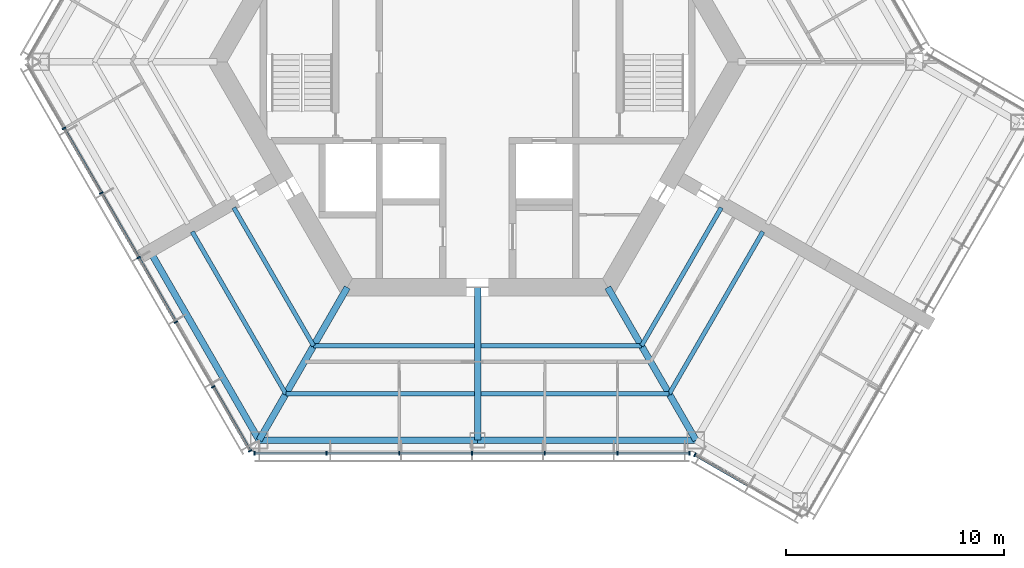
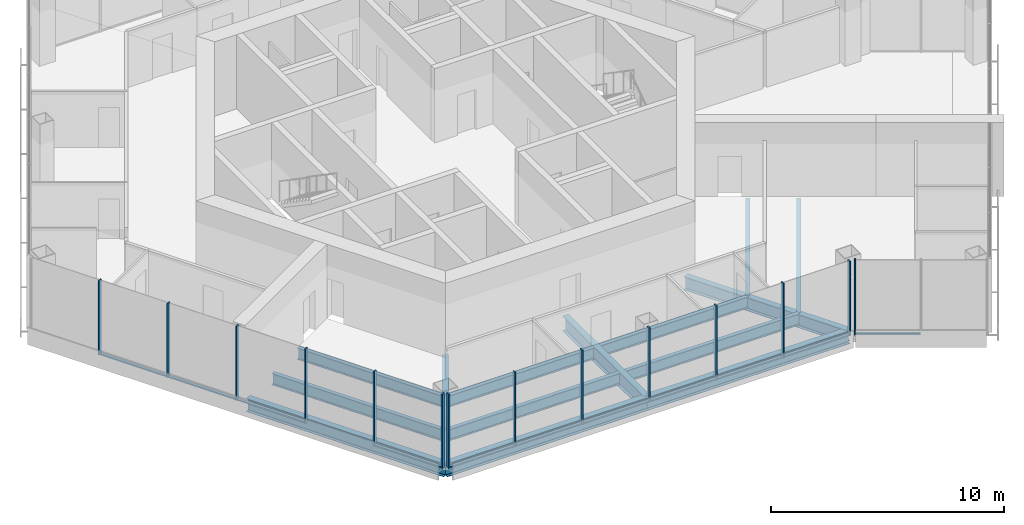
# One storey, part 2 of 13: 25 members, 14 beams, 3 elements without a shape of their own.
"""IFC4 building model written with IfcOpenShell, lengths in metres."""

import ifcopenshell
import ifcopenshell.guid

model = None  # the IFC model being written
_history = None  # IfcOwnerHistory: only IFC2X3 demands one
_inside = {}  # id of a spatial element -> (the spatial element, [elements in it])
_under = {}  # id of a project, library or spatial element -> (it, [spatial elements below it])
_declared = {}  # id of a project -> (the project, [libraries it declares])
_typed = {}  # id of a type object -> (the type object, [elements of that type])
_made_of = {}  # id of a material, layer set ... -> (it, [elements and type objects made of it])


def new_model(schema):
    """Start an empty IFC model of exactly this schema.

    Asked for "IFC4X3", IfcOpenShell would pick the latest addendum, in which some entities
    have other attributes; the version numbers below select the first issue.
    IFC2X3 requires an IfcOwnerHistory on every rooted entity: one is made here for all.
    """
    global model, _history
    if schema == "IFC4X3":
        model = ifcopenshell.file(schema_version=(4, 3, 0, 0))
    else:
        model = ifcopenshell.file(schema=schema)
    _inside.clear()
    _under.clear()
    _declared.clear()
    _typed.clear()
    _made_of.clear()
    _history = None
    if model.schema == "IFC2X3":
        org = make("IfcOrganization", Name="unknown")
        user = make(
            "IfcPersonAndOrganization",
            ThePerson=make("IfcPerson", FamilyName="unknown"),
            TheOrganization=org,
        )
        app = make(
            "IfcApplication",
            ApplicationDeveloper=org,
            Version="unknown",
            ApplicationFullName="unknown",
            ApplicationIdentifier="unknown",
        )
        _history = make(
            "IfcOwnerHistory",
            OwningUser=user,
            OwningApplication=app,
            ChangeAction="ADDED",
            CreationDate=0,
        )
    return model


def make(cls, **values):
    """One entity of the class cls with the attributes given. An attribute that is None is left unset."""
    return model.create_entity(
        cls, **{name: value for name, value in values.items() if value is not None}
    )


def rooted(cls, **values):
    """An entity with a GlobalId (a new one), such as an element, a storey or a relation."""
    return make(cls, GlobalId=ifcopenshell.guid.new(), OwnerHistory=_history, **values)


def si_unit(unit_type, name, prefix=None):
    """IfcSIUnit, for example si_unit("LENGTHUNIT", "METRE", prefix="MILLI")."""
    return make("IfcSIUnit", UnitType=unit_type, Prefix=prefix, Name=name)


def assignment(units):
    """IfcUnitAssignment: the units of a project."""
    return None if units is None else make("IfcUnitAssignment", Units=units)


def point(xyz):
    """IfcCartesianPoint."""
    return None if xyz is None else make("IfcCartesianPoint", Coordinates=xyz)


def direction(xyz):
    """IfcDirection."""
    return None if xyz is None else make("IfcDirection", DirectionRatios=xyz)


def frame(location, z_axis=None, x_axis=None):
    """IfcAxis2Placement3D, a coordinate frame: its origin and axes. An axis left out is left unset."""
    return make(
        "IfcAxis2Placement3D",
        Location=point(location),
        Axis=direction(z_axis),
        RefDirection=direction(x_axis),
    )


def frame_2d(location, x_axis=None):
    """IfcAxis2Placement2D, a coordinate frame in the plane: its origin and x axis."""
    return make(
        "IfcAxis2Placement2D", Location=point(location), RefDirection=direction(x_axis)
    )


def origin():
    """The frame at (0, 0, 0) with its axes left unset."""
    return frame((0.0, 0.0, 0.0))


def origin_2d():
    """The frame at (0, 0) in the plane with its x axis left unset."""
    return frame_2d((0.0, 0.0))


def place(relative_to, where):
    """IfcLocalPlacement: puts the frame where relative to a parent placement (None: the world)."""
    return make(
        "IfcLocalPlacement", PlacementRelTo=relative_to, RelativePlacement=where
    )


def context(
    kind, dimensions, precision=None, world=None, true_north=None, identifier=None
):
    """IfcGeometricRepresentationContext, for example the 3D "Model" context."""
    return make(
        "IfcGeometricRepresentationContext",
        ContextIdentifier=identifier,
        ContextType=kind,
        CoordinateSpaceDimension=dimensions,
        Precision=precision,
        WorldCoordinateSystem=world,
        TrueNorth=true_north,
    )


def subcontext(parent, identifier, kind, view, scale=None):
    """IfcGeometricRepresentationSubContext, for example "Body" below "Model"."""
    return make(
        "IfcGeometricRepresentationSubContext",
        ContextIdentifier=identifier,
        ContextType=kind,
        ParentContext=parent,
        TargetScale=scale,
        TargetView=view,
    )


def project(units=None, contexts=None):
    """IfcProject with its units and contexts."""
    return rooted(
        "IfcProject",
        Name="project",
        RepresentationContexts=contexts,
        UnitsInContext=assignment(units),
    )


def spatial(cls, under=None, at=None, **own):
    """A site, building, storey or space (cls), placed at a placement, below another one or the project."""
    s = rooted(cls, ObjectPlacement=at, **own)
    if under is not None:
        _under.setdefault(under.id(), (under, []))[1].append(s)
    return s


def profile(cls, at=None, kind="AREA", **sizes):
    """A parametric profile (cls). Its sizes go by their IFC names, for example OverallWidth=200.0."""
    return make(cls, ProfileType=kind, Position=at, **sizes)


def rectangle(**sizes):
    """IfcRectangleProfileDef."""
    return profile("IfcRectangleProfileDef", **sizes)


def i_section(**sizes):
    """IfcIShapeProfileDef."""
    return profile("IfcIShapeProfileDef", **sizes)


def extrude(swept, where, along, depth):
    """IfcExtrudedAreaSolid: the profile swept, set in the frame where, extruded along a direction by depth."""
    return make(
        "IfcExtrudedAreaSolid",
        SweptArea=swept,
        Position=where,
        ExtrudedDirection=direction(along),
        Depth=depth,
    )


def shape(context_of_items, identifier, shape_type, items):
    """IfcShapeRepresentation: the items that make up one representation, for example the "Body"."""
    return make(
        "IfcShapeRepresentation",
        ContextOfItems=context_of_items,
        RepresentationIdentifier=identifier,
        RepresentationType=shape_type,
        Items=items,
    )


def material(Name=None, Category=None):
    """IfcMaterial."""
    return make("IfcMaterial", Name=Name, Category=Category)


def material_profile(
    of_material, cross_section, Name=None, Category=None, Priority=None
):
    """IfcMaterialProfile: a cross section and its material."""
    return make(
        "IfcMaterialProfile",
        Name=Name,
        Material=of_material,
        Profile=cross_section,
        Priority=Priority,
        Category=Category,
    )


def profile_set(profiles, Name=None, composite=None):
    """IfcMaterialProfileSet."""
    return make(
        "IfcMaterialProfileSet",
        Name=Name,
        MaterialProfiles=profiles,
        CompositeProfile=composite,
    )


def made_of(thing, what):
    """Note that an element or type object is made of a material, layer set ...; save() writes the relation."""
    if what is not None:
        _made_of.setdefault(what.id(), (what, []))[1].append(thing)
    return thing


def type_object(cls, material=None, **own):
    """A type object (cls), such as IfcWallType, which elements share."""
    return made_of(rooted(cls, **own), material)


def element(
    cls,
    number,
    at=None,
    inside=None,
    cuts=None,
    type_object=None,
    material=None,
    context=None,
    identifier="Body",
    shape_type=None,
    held_by="IfcProductDefinitionShape",
    body=None,
    shapes=None,
    **own,
):
    """One element of the class cls, such as IfcWall. Its Tag is "e" and its number.

    at: its placement. inside: the storey or other place that contains it. cuts: it is an
    opening in that element (IfcRelVoidsElement). A single representation is given by context,
    identifier, shape_type and body (its items); several are given by shapes. held_by: the class
    of the entity that holds the representations. save() writes the other relations.
    """
    e = rooted(cls, Tag="e%d" % number, ObjectPlacement=at, **own)
    if body is not None:
        shapes = [shape(context, identifier, shape_type, body)]
    if shapes is not None:
        e.Representation = make(held_by, Representations=shapes)
    if inside is not None:
        _inside.setdefault(inside.id(), (inside, []))[1].append(e)
    if cuts is not None:
        rooted(
            "IfcRelVoidsElement", RelatingBuildingElement=cuts, RelatedOpeningElement=e
        )
    if type_object is not None:
        _typed.setdefault(type_object.id(), (type_object, []))[1].append(e)
    return made_of(e, material)


def aggregate(whole, parts):
    """IfcRelAggregates: a whole, such as a stair, and the parts it consists of."""
    return rooted("IfcRelAggregates", RelatingObject=whole, RelatedObjects=parts)


def save(model, path):
    """Write the relations noted so far, then the file.

    IfcRelAggregates (storeys below a building ...), IfcRelContainedInSpatialStructure (elements
    in a storey), IfcRelDefinesByType, IfcRelAssociatesMaterial and IfcRelDeclares: one each for
    every whole, place, type object, material and project.
    """
    for whole, parts in _under.values():
        aggregate(whole, parts)
    for where, things in _inside.values():
        rooted(
            "IfcRelContainedInSpatialStructure",
            RelatedElements=things,
            RelatingStructure=where,
        )
    for kind, things in _typed.values():
        rooted("IfcRelDefinesByType", RelatedObjects=things, RelatingType=kind)
    for what, things in _made_of.values():
        rooted("IfcRelAssociatesMaterial", RelatedObjects=things, RelatingMaterial=what)
    for by, libraries in _declared.values():
        rooted("IfcRelDeclares", RelatingContext=by, RelatedDefinitions=libraries)
    model.write(path)


model = new_model("IFC4")

# Units and contexts
model_context = context("Model", 3, precision=1e-05, world=origin(), true_north=direction((0.0, 1.0)))
body_context = subcontext(model_context, "Body", "Model", "MODEL_VIEW")
ifc_project = project(units=[si_unit("LENGTHUNIT", "METRE"), si_unit("AREAUNIT", "SQUARE_METRE"), si_unit("VOLUMEUNIT", "CUBIC_METRE"), si_unit("PLANEANGLEUNIT", "RADIAN"), si_unit("MASSUNIT", "GRAM", prefix="KILO")], contexts=[model_context])

# Site, building, storey
site_placement = place(None, origin())
site = spatial("IfcSite", under=ifc_project, at=site_placement, CompositionType="ELEMENT")
building_placement = place(site_placement, origin())
building = spatial("IfcBuilding", under=site, at=building_placement, Name="Kasaneha Research Tower", CompositionType="ELEMENT")
storey_placement = place(building_placement, frame((0.0, 0.0, 271.300048828125)))
storey = spatial("IfcBuildingStorey", under=building, at=storey_placement, Name="L68", CompositionType="ELEMENT", Elevation=271.300048828125)

# Beams
ifc_material_1 = material(Name="Steel SN490B", Category="steel")
ifc_material_profile_1 = material_profile(ifc_material_1, i_section(OverallWidth=0.199951171875, OverallDepth=0.60009765625, WebThickness=0.010986328125, FlangeThickness=0.01708984375, FilletRadius=0.012939453125, at=origin_2d()), Name="H-600x200x11x17")
ifc_profile_set_1 = profile_set([ifc_material_profile_1], Name="Steel SN490B")
beam_type_1 = type_object("IfcBeamType", Name="B1-3 secondary beam H-600x200x11x17", PredefinedType="JOIST", material=ifc_profile_set_1)
beam_1_placement = place(storey_placement, frame((-7.505615234375, -13.0, -0.449951171875), z_axis=(-0.499999192304, 0.866025870108, 0.0), x_axis=(-0.866025870108, -0.499999192304, 0.0)))
element("IfcBeam", 1, at=beam_1_placement, inside=storey, type_object=beam_type_1, Name="Secondary beam RS210R1 L68", PredefinedType="JOIST", context=body_context, shape_type="SweptSolid", body=[
    extrude(i_section(OverallWidth=0.199951171875, OverallDepth=0.60009765625, WebThickness=0.010986328125, FlangeThickness=0.01708984375, FilletRadius=0.012939453125, at=origin_2d()), origin(), (0.0, 0.0, 1.0), 7.3056640625),
])
beam_2_placement = place(storey_placement, frame((-8.775634765625, -15.199951171875, -0.449951171875), z_axis=(-0.500000102728, 0.866025344474, 0.0), x_axis=(-0.866025344474, -0.500000102728, 0.0)))
element("IfcBeam", 2, at=beam_2_placement, inside=storey, type_object=beam_type_1, Name="Secondary beam RS210R2 L68", PredefinedType="JOIST", context=body_context, shape_type="SweptSolid", body=[
    extrude(i_section(OverallWidth=0.199951171875, OverallDepth=0.60009765625, WebThickness=0.010986328125, FlangeThickness=0.01708984375, FilletRadius=0.012939453125, at=origin_2d()), origin(), (0.0, 0.0, 1.0), 8.57568359375),
])
beam_3_placement = place(storey_placement, frame((-7.505615234375, -13.0, -0.449951171875), z_axis=(1.0, 0.0, 0.0), x_axis=(0.0, 1.0, 0.0)))
element("IfcBeam", 3, at=beam_3_placement, inside=storey, type_object=beam_type_1, Name="Secondary beam RS270L1 L68", PredefinedType="JOIST", context=body_context, shape_type="SweptSolid", body=[
    extrude(i_section(OverallWidth=0.199951171875, OverallDepth=0.60009765625, WebThickness=0.010986328125, FlangeThickness=0.01708984375, FilletRadius=0.012939453125, at=origin_2d()), origin(), (0.0, 0.0, 1.0), 7.355712890625),
])
beam_4_placement = place(storey_placement, frame((-8.775634765625, -15.199951171875, -0.449951171875), z_axis=(1.0, 0.0, 0.0), x_axis=(0.0, 1.0, 0.0)))
element("IfcBeam", 4, at=beam_4_placement, inside=storey, type_object=beam_type_1, Name="Secondary beam RS270L2 L68", PredefinedType="JOIST", context=body_context, shape_type="SweptSolid", body=[
    extrude(i_section(OverallWidth=0.199951171875, OverallDepth=0.60009765625, WebThickness=0.010986328125, FlangeThickness=0.01708984375, FilletRadius=0.012939453125, at=origin_2d()), origin(), (0.0, 0.0, 1.0), 8.625732421875),
])
beam_5_placement = place(storey_placement, frame((7.505615234375, -13.0, -0.449951171875), z_axis=(-1.0, 0.0, 0.0), x_axis=(0.0, -1.0, 0.0)))
element("IfcBeam", 5, at=beam_5_placement, inside=storey, type_object=beam_type_1, Name="Secondary beam RS270R1 L68", PredefinedType="JOIST", context=body_context, shape_type="SweptSolid", body=[
    extrude(i_section(OverallWidth=0.199951171875, OverallDepth=0.60009765625, WebThickness=0.010986328125, FlangeThickness=0.01708984375, FilletRadius=0.012939453125, at=origin_2d()), origin(), (0.0, 0.0, 1.0), 7.355712890625),
])
beam_6_placement = place(storey_placement, frame((8.775634765625, -15.199951171875, -0.449951171875), z_axis=(-1.0, 0.0, 0.0), x_axis=(0.0, -1.0, 0.0)))
element("IfcBeam", 6, at=beam_6_placement, inside=storey, type_object=beam_type_1, Name="Secondary beam RS270R2 L68", PredefinedType="JOIST", context=body_context, shape_type="SweptSolid", body=[
    extrude(i_section(OverallWidth=0.199951171875, OverallDepth=0.60009765625, WebThickness=0.010986328125, FlangeThickness=0.01708984375, FilletRadius=0.012939453125, at=origin_2d()), origin(), (0.0, 0.0, 1.0), 8.625732421875),
])
beam_7_placement = place(storey_placement, frame((7.505615234375, -13.0, -0.449951171875), z_axis=(0.499999192304, 0.866025870108, 0.0), x_axis=(-0.866025870108, 0.499999192304, 0.0)))
element("IfcBeam", 7, at=beam_7_placement, inside=storey, type_object=beam_type_1, Name="Secondary beam RS330L1 L68", PredefinedType="JOIST", context=body_context, shape_type="SweptSolid", body=[
    extrude(i_section(OverallWidth=0.199951171875, OverallDepth=0.60009765625, WebThickness=0.010986328125, FlangeThickness=0.01708984375, FilletRadius=0.012939453125, at=origin_2d()), origin(), (0.0, 0.0, 1.0), 7.3056640625),
])
beam_8_placement = place(storey_placement, frame((8.775634765625, -15.199951171875, -0.449951171875), z_axis=(0.500000102728, 0.866025344474, 0.0), x_axis=(-0.866025344474, 0.500000102728, 0.0)))
element("IfcBeam", 8, at=beam_8_placement, inside=storey, type_object=beam_type_1, Name="Secondary beam RS330L2 L68", PredefinedType="JOIST", context=body_context, shape_type="SweptSolid", body=[
    extrude(i_section(OverallWidth=0.199951171875, OverallDepth=0.60009765625, WebThickness=0.010986328125, FlangeThickness=0.01708984375, FilletRadius=0.012939453125, at=origin_2d()), origin(), (0.0, 0.0, 1.0), 8.57568359375),
])

# Curtain wall, members
ifc_material_2 = material(Name="Glass and aluminium", Category="aluminium")
curtain_wall_type = type_object("IfcCurtainWallType", Name="Crown curtain wall", PredefinedType="USERDEFINED", material=ifc_material_2)
curtain_wall_1_placement = place(storey_placement, origin())
curtain_wall_1 = element("IfcCurtainWall", 9, at=curtain_wall_1_placement, inside=storey, type_object=curtain_wall_type, Name="CW-C L68 run 04a", ObjectType="UNITISED CURTAIN WALL", PredefinedType="USERDEFINED")
ifc_material_3 = material(Name="Aluminium 6063-T6", Category="aluminium")
ifc_material_profile_2 = material_profile(ifc_material_3, rectangle(XDim=0.06005859375, YDim=0.179931640625, at=origin_2d()), Name="CW-C mullion 60x180")
ifc_profile_set_2 = profile_set([ifc_material_profile_2], Name="Aluminium 6063-T6")
member_type_1 = type_object("IfcMemberType", Name="CW-C mullion", PredefinedType="MULLION", material=ifc_profile_set_2)
member_1_placement = place(storey_placement, frame((-18.93505859375, -3.04443359375, 0.0), z_axis=(0.0, 0.0, 1.0), x_axis=(0.499999995722, -0.866025406254, 0.0)))
member_1 = element("IfcMember", 10, at=member_1_placement, type_object=member_type_1, Name="CW-C mullion 2", PredefinedType="MULLION", context=body_context, shape_type="SweptSolid", body=[
    extrude(rectangle(XDim=0.06005859375, YDim=0.179931640625, at=origin_2d()), origin(), (0.0, 0.0, 1.0), 3.89990234375),
])
member_2_placement = place(storey_placement, frame((-17.227294921875, -6.00244140625, 0.0), z_axis=(0.0, 0.0, 1.0), x_axis=(0.499999995722, -0.866025406254, 0.0)))
member_2 = element("IfcMember", 11, at=member_2_placement, type_object=member_type_1, Name="CW-C mullion 3", PredefinedType="MULLION", context=body_context, shape_type="SweptSolid", body=[
    extrude(rectangle(XDim=0.06005859375, YDim=0.179931640625, at=origin_2d()), origin(), (0.0, 0.0, 1.0), 3.89990234375),
])
member_3_placement = place(storey_placement, frame((-15.51953125, -8.960205078125, 0.0), z_axis=(0.0, 0.0, 1.0), x_axis=(0.499999995722, -0.866025406254, 0.0)))
member_3 = element("IfcMember", 12, at=member_3_placement, type_object=member_type_1, Name="CW-C mullion 4", PredefinedType="MULLION", context=body_context, shape_type="SweptSolid", body=[
    extrude(rectangle(XDim=0.06005859375, YDim=0.179931640625, at=origin_2d()), origin(), (0.0, 0.0, 1.0), 3.89990234375),
])
member_4_placement = place(storey_placement, frame((-13.811767578125, -11.918212890625, 0.0), z_axis=(0.0, 0.0, 1.0), x_axis=(0.499999995722, -0.866025406254, 0.0)))
member_4 = element("IfcMember", 13, at=member_4_placement, type_object=member_type_1, Name="CW-C mullion 5", PredefinedType="MULLION", context=body_context, shape_type="SweptSolid", body=[
    extrude(rectangle(XDim=0.06005859375, YDim=0.179931640625, at=origin_2d()), origin(), (0.0, 0.0, 1.0), 3.89990234375),
])
member_5_placement = place(storey_placement, frame((-12.104248046875, -14.8759765625, 0.0), z_axis=(0.0, 0.0, 1.0), x_axis=(0.499999995722, -0.866025406254, 0.0)))
member_5 = element("IfcMember", 14, at=member_5_placement, type_object=member_type_1, Name="CW-C mullion 6", PredefinedType="MULLION", context=body_context, shape_type="SweptSolid", body=[
    extrude(rectangle(XDim=0.06005859375, YDim=0.179931640625, at=origin_2d()), origin(), (0.0, 0.0, 1.0), 3.89990234375),
])
member_6_placement = place(storey_placement, frame((-10.411376953125, -17.807861328125, 0.0), z_axis=(0.0, 0.0, 1.0), x_axis=(0.499999995722, -0.866025406254, 0.0)))
member_6 = element("IfcMember", 15, at=member_6_placement, type_object=member_type_1, Name="CW-C mullion 7", PredefinedType="MULLION", context=body_context, shape_type="SweptSolid", body=[
    extrude(rectangle(XDim=0.06005859375, YDim=0.179931640625, at=origin_2d()), origin(), (0.0, 0.0, 1.0), 3.89990234375),
])

curtain_wall_2_placement = place(storey_placement, origin())
curtain_wall_2 = element("IfcCurtainWall", 16, at=curtain_wall_2_placement, inside=storey, type_object=curtain_wall_type, Name="CW-C L68 run 05a", ObjectType="UNITISED CURTAIN WALL", PredefinedType="USERDEFINED")
member_7_placement = place(storey_placement, frame((-10.21630859375, -17.92041015625, 0.0), z_axis=(0.0, 0.0, 1.0), x_axis=(1.0, 0.0, 0.0)))
member_7 = element("IfcMember", 17, at=member_7_placement, type_object=member_type_1, Name="CW-C mullion 1", PredefinedType="MULLION", context=body_context, shape_type="SweptSolid", body=[
    extrude(rectangle(XDim=0.06005859375, YDim=0.179931640625, at=origin_2d()), origin(), (0.0, 0.0, 1.0), 3.89990234375),
])
member_8_placement = place(storey_placement, frame((-6.91552734375, -17.92041015625, 0.0), z_axis=(0.0, 0.0, 1.0), x_axis=(1.0, 0.0, 0.0)))
member_8 = element("IfcMember", 18, at=member_8_placement, type_object=member_type_1, Name="CW-C mullion 2", PredefinedType="MULLION", context=body_context, shape_type="SweptSolid", body=[
    extrude(rectangle(XDim=0.06005859375, YDim=0.179931640625, at=origin_2d()), origin(), (0.0, 0.0, 1.0), 3.89990234375),
])
member_9_placement = place(storey_placement, frame((-3.58447265625, -17.92041015625, 0.0), z_axis=(0.0, 0.0, 1.0), x_axis=(1.0, 0.0, 0.0)))
member_9 = element("IfcMember", 19, at=member_9_placement, type_object=member_type_1, Name="CW-C mullion 3", PredefinedType="MULLION", context=body_context, shape_type="SweptSolid", body=[
    extrude(rectangle(XDim=0.06005859375, YDim=0.179931640625, at=origin_2d()), origin(), (0.0, 0.0, 1.0), 3.89990234375),
])
member_10_placement = place(storey_placement, frame((-0.253662109375, -17.92041015625, 0.0), z_axis=(0.0, 0.0, 1.0), x_axis=(1.0, 0.0, 0.0)))
member_10 = element("IfcMember", 20, at=member_10_placement, type_object=member_type_1, Name="CW-C mullion 4", PredefinedType="MULLION", context=body_context, shape_type="SweptSolid", body=[
    extrude(rectangle(XDim=0.06005859375, YDim=0.179931640625, at=origin_2d()), origin(), (0.0, 0.0, 1.0), 3.89990234375),
])
member_11_placement = place(storey_placement, frame((3.077392578125, -17.92041015625, 0.0), z_axis=(0.0, 0.0, 1.0), x_axis=(1.0, 0.0, 0.0)))
member_11 = element("IfcMember", 21, at=member_11_placement, type_object=member_type_1, Name="CW-C mullion 5", PredefinedType="MULLION", context=body_context, shape_type="SweptSolid", body=[
    extrude(rectangle(XDim=0.06005859375, YDim=0.179931640625, at=origin_2d()), origin(), (0.0, 0.0, 1.0), 3.89990234375),
])
member_12_placement = place(storey_placement, frame((6.408203125, -17.92041015625, 0.0), z_axis=(0.0, 0.0, 1.0), x_axis=(1.0, 0.0, 0.0)))
member_12 = element("IfcMember", 22, at=member_12_placement, type_object=member_type_1, Name="CW-C mullion 6", PredefinedType="MULLION", context=body_context, shape_type="SweptSolid", body=[
    extrude(rectangle(XDim=0.06005859375, YDim=0.179931640625, at=origin_2d()), origin(), (0.0, 0.0, 1.0), 3.89990234375),
])
member_13_placement = place(storey_placement, frame((9.709228515625, -17.92041015625, 0.0), z_axis=(0.0, 0.0, 1.0), x_axis=(1.0, 0.0, 0.0)))
member_13 = element("IfcMember", 23, at=member_13_placement, type_object=member_type_1, Name="CW-C mullion 7", PredefinedType="MULLION", context=body_context, shape_type="SweptSolid", body=[
    extrude(rectangle(XDim=0.06005859375, YDim=0.179931640625, at=origin_2d()), origin(), (0.0, 0.0, 1.0), 3.89990234375),
])

# Curtain wall, member
curtain_wall_3_placement = place(storey_placement, origin())
curtain_wall_3 = element("IfcCurtainWall", 24, at=curtain_wall_3_placement, inside=storey, type_object=curtain_wall_type, Name="CW-C L68 run 06a", ObjectType="UNITISED CURTAIN WALL", PredefinedType="USERDEFINED")
member_14_placement = place(storey_placement, frame((9.951904296875, -17.985595703125, 0.0), z_axis=(0.0, 0.0, 1.0), x_axis=(0.866025443395, -0.499999931393, 0.0)))
member_14 = element("IfcMember", 25, at=member_14_placement, type_object=member_type_1, Name="CW-C mullion 1", PredefinedType="MULLION", context=body_context, shape_type="SweptSolid", body=[
    extrude(rectangle(XDim=0.06005859375, YDim=0.179931640625, at=origin_2d()), origin(), (0.0, 0.0, 1.0), 3.89990234375),
])

# Member
ifc_material_4 = material(Name="Aluminium 6063-T6", Category="aluminium")
ifc_material_profile_3 = material_profile(ifc_material_4, rectangle(XDim=0.1298828125, YDim=0.06005859375, at=origin_2d()), Name="CW-C transom 130x60")
ifc_profile_set_3 = profile_set([ifc_material_profile_3], Name="Aluminium 6063-T6")
member_type_2 = type_object("IfcMemberType", Name="CW-C transom", PredefinedType="USERDEFINED", material=ifc_profile_set_3)
member_15_placement = place(storey_placement, frame((-18.920166015625, -3.070556640625, 0.030029296875), z_axis=(0.500020578564, -0.866013522419, 0.0), x_axis=(0.866013522419, 0.500020578564, 0.0)))
member_15 = element("IfcMember", 26, at=member_15_placement, type_object=member_type_2, Name="CW-C transom 2", ObjectType="TRANSOM", PredefinedType="USERDEFINED", context=body_context, shape_type="SweptSolid", body=[
    extrude(rectangle(XDim=0.1298828125, YDim=0.06005859375, at=origin_2d()), origin(), (0.0, 0.0, 1.0), 3.355224609375),
])

member_16_placement = place(storey_placement, frame((-17.21240234375, -6.0283203125, 0.030029296875), z_axis=(0.499989072476, -0.866031712701, 0.0), x_axis=(0.866031712701, 0.499989072476, 0.0)))
member_16 = element("IfcMember", 27, at=member_16_placement, type_object=member_type_2, Name="CW-C transom 3", ObjectType="TRANSOM", PredefinedType="USERDEFINED", context=body_context, shape_type="SweptSolid", body=[
    extrude(rectangle(XDim=0.1298828125, YDim=0.06005859375, at=origin_2d()), origin(), (0.0, 0.0, 1.0), 3.35546875),
])

member_17_placement = place(storey_placement, frame((-15.504638671875, -8.986328125, 0.030029296875), z_axis=(0.500020578564, -0.866013522419, 0.0), x_axis=(0.866013522419, 0.500020578564, 0.0)))
member_17 = element("IfcMember", 28, at=member_17_placement, type_object=member_type_2, Name="CW-C transom 4", ObjectType="TRANSOM", PredefinedType="USERDEFINED", context=body_context, shape_type="SweptSolid", body=[
    extrude(rectangle(XDim=0.1298828125, YDim=0.06005859375, at=origin_2d()), origin(), (0.0, 0.0, 1.0), 3.355224609375),
])

member_18_placement = place(storey_placement, frame((-12.089111328125, -14.902099609375, 0.030029296875), z_axis=(0.49997666526, -0.866038875684, 0.0), x_axis=(0.866038875684, 0.49997666526, 0.0)))
member_18 = element("IfcMember", 29, at=member_18_placement, type_object=member_type_2, Name="CW-C transom 6", ObjectType="TRANSOM", PredefinedType="USERDEFINED", context=body_context, shape_type="SweptSolid", body=[
    extrude(rectangle(XDim=0.1298828125, YDim=0.06005859375, at=origin_2d()), origin(), (0.0, 0.0, 1.0), 3.325439453125),
])

aggregate(curtain_wall_1, [member_1, member_2, member_3, member_4, member_5, member_6, member_15, member_16, member_17, member_18])

member_19_placement = place(storey_placement, frame((-10.1865234375, -17.92041015625, 0.030029296875), z_axis=(1.0, 0.0, 0.0), x_axis=(0.0, 1.0, 0.0)))
member_19 = element("IfcMember", 30, at=member_19_placement, type_object=member_type_2, Name="CW-C transom 1", ObjectType="TRANSOM", PredefinedType="USERDEFINED", context=body_context, shape_type="SweptSolid", body=[
    extrude(rectangle(XDim=0.1298828125, YDim=0.06005859375, at=origin_2d()), origin(), (0.0, 0.0, 1.0), 3.240966796875),
])

member_20_placement = place(storey_placement, frame((-6.885498046875, -17.92041015625, 0.030029296875), z_axis=(1.0, 0.0, 0.0), x_axis=(0.0, 1.0, 0.0)))
member_20 = element("IfcMember", 31, at=member_20_placement, type_object=member_type_2, Name="CW-C transom 2", ObjectType="TRANSOM", PredefinedType="USERDEFINED", context=body_context, shape_type="SweptSolid", body=[
    extrude(rectangle(XDim=0.1298828125, YDim=0.06005859375, at=origin_2d()), origin(), (0.0, 0.0, 1.0), 3.27099609375),
])

member_21_placement = place(storey_placement, frame((-3.554443359375, -17.92041015625, 0.030029296875), z_axis=(1.0, 0.0, 0.0), x_axis=(0.0, 1.0, 0.0)))
member_21 = element("IfcMember", 32, at=member_21_placement, type_object=member_type_2, Name="CW-C transom 3", ObjectType="TRANSOM", PredefinedType="USERDEFINED", context=body_context, shape_type="SweptSolid", body=[
    extrude(rectangle(XDim=0.1298828125, YDim=0.06005859375, at=origin_2d()), origin(), (0.0, 0.0, 1.0), 3.270751953125),
])

member_22_placement = place(storey_placement, frame((-0.2236328125, -17.92041015625, 0.030029296875), z_axis=(1.0, 0.0, 0.0), x_axis=(0.0, 1.0, 0.0)))
member_22 = element("IfcMember", 33, at=member_22_placement, type_object=member_type_2, Name="CW-C transom 4", ObjectType="TRANSOM", PredefinedType="USERDEFINED", context=body_context, shape_type="SweptSolid", body=[
    extrude(rectangle(XDim=0.1298828125, YDim=0.06005859375, at=origin_2d()), origin(), (0.0, 0.0, 1.0), 3.27099609375),
])

member_23_placement = place(storey_placement, frame((3.107421875, -17.92041015625, 0.030029296875), z_axis=(1.0, 0.0, 0.0), x_axis=(0.0, 1.0, 0.0)))
member_23 = element("IfcMember", 34, at=member_23_placement, type_object=member_type_2, Name="CW-C transom 5", ObjectType="TRANSOM", PredefinedType="USERDEFINED", context=body_context, shape_type="SweptSolid", body=[
    extrude(rectangle(XDim=0.1298828125, YDim=0.06005859375, at=origin_2d()), origin(), (0.0, 0.0, 1.0), 3.270751953125),
])

member_24_placement = place(storey_placement, frame((6.438232421875, -17.92041015625, 0.030029296875), z_axis=(1.0, 0.0, 0.0), x_axis=(0.0, 1.0, 0.0)))
member_24 = element("IfcMember", 35, at=member_24_placement, type_object=member_type_2, Name="CW-C transom 6", ObjectType="TRANSOM", PredefinedType="USERDEFINED", context=body_context, shape_type="SweptSolid", body=[
    extrude(rectangle(XDim=0.1298828125, YDim=0.06005859375, at=origin_2d()), origin(), (0.0, 0.0, 1.0), 3.240966796875),
])

aggregate(curtain_wall_2, [member_7, member_8, member_9, member_10, member_11, member_12, member_13, member_19, member_20, member_21, member_22, member_23, member_24])

member_25_placement = place(storey_placement, frame((9.977783203125, -18.00048828125, 0.030029296875), z_axis=(0.866012991964, -0.500021497287, 0.0), x_axis=(0.500021497287, 0.866012991964, 0.0)))
member_25 = element("IfcMember", 36, at=member_25_placement, type_object=member_type_2, Name="CW-C transom 1", ObjectType="TRANSOM", PredefinedType="USERDEFINED", context=body_context, shape_type="SweptSolid", body=[
    extrude(rectangle(XDim=0.1298828125, YDim=0.06005859375, at=origin_2d()), origin(), (0.0, 0.0, 1.0), 2.77978515625),
])

aggregate(curtain_wall_3, [member_14, member_25])

# Beams
ifc_material_5 = material(Name="Steel SN490B", Category="steel")
ifc_material_profile_4 = material_profile(ifc_material_5, i_section(OverallWidth=0.300048828125, OverallDepth=0.699951171875, WebThickness=0.012939453125, FlangeThickness=0.02392578125, FilletRadius=0.01806640625, at=origin_2d()), Name="H-700x300x13x24")
ifc_profile_set_4 = profile_set([ifc_material_profile_4], Name="Steel SN490B")
beam_type_2 = type_object("IfcBeamType", Name="G1-3 radial girder H-700x300x13x24", PredefinedType="BEAM", material=ifc_profile_set_4)
for number, where, z_axis, x_axis, name in (
    (37, (-5.961181640625, -10.324951171875, -0.5), (-0.49999105496, -0.866030568144, 0.0), (0.866030568144, -0.49999105496, 0.0), "Radial girder RV240 L68"),
    (38, (5.961181640625, -10.324951171875, -0.5), (0.49999105496, -0.866030568144, 0.0), (0.866030568144, 0.49999105496, 0.0), "Radial girder RV300 L68"),
):
    element("IfcBeam", number, at=place(storey_placement, frame(where, z_axis=z_axis, x_axis=x_axis)), inside=storey, type_object=beam_type_2, Name=name, PredefinedType="BEAM", context=body_context, shape_type="SweptSolid", body=[
        extrude(i_section(OverallWidth=0.300048828125, OverallDepth=0.699951171875, WebThickness=0.012939453125, FlangeThickness=0.02392578125, FilletRadius=0.01806640625, at=origin_2d()), origin(), (0.0, 0.0, 1.0), 8.077880859375),
    ])
ifc_material_6 = material(Name="Steel SN490B", Category="steel")
ifc_material_profile_5 = material_profile(ifc_material_6, i_section(OverallWidth=0.300048828125, OverallDepth=0.800048828125, WebThickness=0.013916015625, FlangeThickness=0.02587890625, FilletRadius=0.01806640625, at=origin_2d()), Name="H-800x300x14x26")
ifc_profile_set_5 = profile_set([ifc_material_profile_5], Name="Steel SN490B")
beam_type_3 = type_object("IfcBeamType", Name="G2-3 radial girder H-800x300x14x26", PredefinedType="BEAM", material=ifc_profile_set_5)
beam_9_placement = place(storey_placement, frame((0.0, -10.324951171875, -0.550048828125), z_axis=(0.0, -1.0, 0.0), x_axis=(1.0, 0.0, 0.0)))
element("IfcBeam", 39, at=beam_9_placement, inside=storey, type_object=beam_type_3, Name="Radial girder RM270 L68", PredefinedType="BEAM", context=body_context, shape_type="SweptSolid", body=[
    extrude(i_section(OverallWidth=0.300048828125, OverallDepth=0.800048828125, WebThickness=0.013916015625, FlangeThickness=0.02587890625, FilletRadius=0.01806640625, at=origin_2d()), origin(), (0.0, 0.0, 1.0), 6.99560546875),
])
ifc_material_7 = material(Name="Steel SN490B", Category="steel")
ifc_material_profile_6 = material_profile(ifc_material_7, i_section(OverallWidth=0.300048828125, OverallDepth=0.69189453125, WebThickness=0.012939453125, FlangeThickness=0.02001953125, FilletRadius=0.01806640625, at=origin_2d()), Name="H-692x300x13x20")
ifc_profile_set_6 = profile_set([ifc_material_profile_6], Name="Steel SN490B")
beam_type_4 = type_object("IfcBeamType", Name="G3-3 plate edge girder H-692x300x13x20", PredefinedType="BEAM", material=ifc_profile_set_6)
beam_10_placement = place(storey_placement, frame((-10.0, -17.320556640625, -0.49609375), z_axis=(-0.49999201416, 0.866030014362, 0.0), x_axis=(-0.866030014362, -0.49999201416, 0.0)))
element("IfcBeam", 40, at=beam_10_placement, inside=storey, type_object=beam_type_4, Name="Plate edge girder PEBN L68", PredefinedType="BEAM", context=body_context, shape_type="SweptSolid", body=[
    extrude(i_section(OverallWidth=0.300048828125, OverallDepth=0.69189453125, WebThickness=0.012939453125, FlangeThickness=0.02001953125, FilletRadius=0.01806640625, at=origin_2d()), origin(), (0.0, 0.0, 1.0), 9.800048828125),
])
ifc_material_8 = material(Name="Steel SN490B", Category="steel")
ifc_material_profile_7 = material_profile(ifc_material_8, i_section(OverallWidth=0.300048828125, OverallDepth=0.69189453125, WebThickness=0.012939453125, FlangeThickness=0.02001953125, FilletRadius=0.01806640625, at=origin_2d()), Name="H-692x300x13x20")
ifc_profile_set_7 = profile_set([ifc_material_profile_7], Name="Steel SN490B")
beam_type_5 = type_object("IfcBeamType", Name="SB1-3 spandrel beam H-692x300x13x20", PredefinedType="SPANDREL", material=ifc_profile_set_7)
for number, where, z_axis, x_axis, name in (
    (41, (-10.0, -17.320556640625, -0.49609375), (1.0, 0.0, 0.0), (0.0, 1.0, 0.0), "Spandrel beam SR270L L68"),
    (42, (10.0, -17.320556640625, -0.49609375), (-1.0, 0.0, 0.0), (0.0, -1.0, 0.0), "Spandrel beam SR270R L68"),
):
    element("IfcBeam", number, at=place(storey_placement, frame(where, z_axis=z_axis, x_axis=x_axis)), inside=storey, type_object=beam_type_5, Name=name, PredefinedType="SPANDREL", context=body_context, shape_type="SweptSolid", body=[
        extrude(i_section(OverallWidth=0.300048828125, OverallDepth=0.69189453125, WebThickness=0.012939453125, FlangeThickness=0.02001953125, FilletRadius=0.01806640625, at=origin_2d()), origin(), (0.0, 0.0, 1.0), 10.0),
    ])

save(model, "model.ifc")
